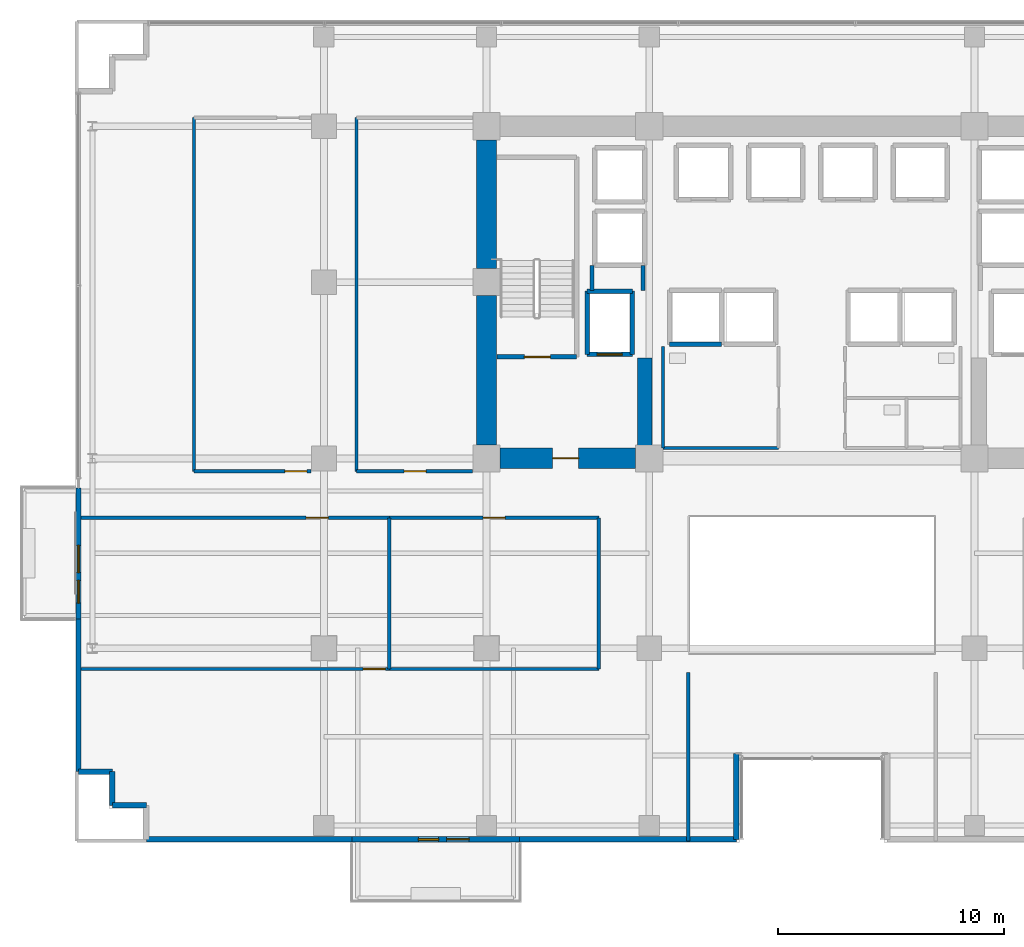
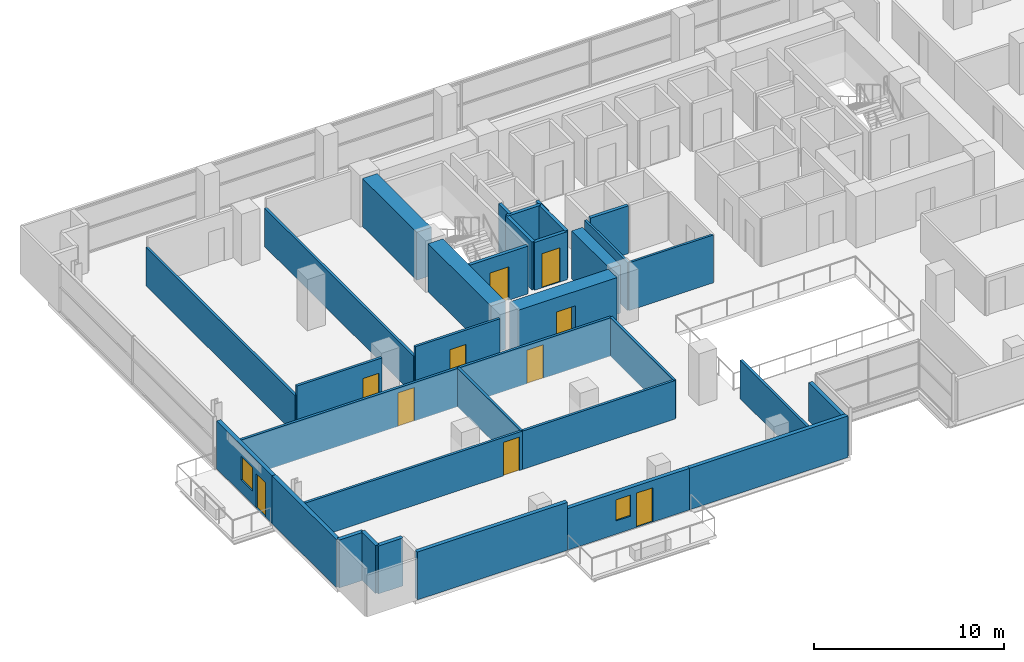
# One storey, part 23 of 30: 34 walls, 10 doors, 2 windows, 12 openings.
"""IFC4 building model written with IfcOpenShell, lengths in metres."""

from ifc_helpers import new_model, si_unit, direction, frame, frame_2d, origin, place, context, subcontext, project, spatial, rectangle, extrude, source, transform, mapped, material, layer, layer_set, type_object, element, fill, save


model = new_model("IFC4")

# Units and contexts
model_context = context("Model", 3, precision=1e-05, world=origin(), true_north=direction((0.0, 1.0)))
body_context = subcontext(model_context, "Body", "Model", "MODEL_VIEW")
ifc_project = project(units=[si_unit("LENGTHUNIT", "METRE"), si_unit("AREAUNIT", "SQUARE_METRE"), si_unit("VOLUMEUNIT", "CUBIC_METRE"), si_unit("PLANEANGLEUNIT", "RADIAN"), si_unit("MASSUNIT", "GRAM", prefix="KILO")], contexts=[model_context])

# Site, building, storey
site_placement = place(None, origin())
site = spatial("IfcSite", under=ifc_project, at=site_placement, CompositionType="ELEMENT")
building_placement = place(site_placement, origin())
building = spatial("IfcBuilding", under=site, at=building_placement, Name="Zarnakvel Exchange Tower", CompositionType="ELEMENT")
storey_placement = place(building_placement, frame((0.0, 0.0, 40.60009765625)))
storey = spatial("IfcBuildingStorey", under=building, at=storey_placement, Name="L10", CompositionType="ELEMENT", Elevation=40.60009765625)

# Walls
ifc_material_1 = material(Name="Concrete C80/95", Category="concrete")
ifc_layer_1 = layer(ifc_material_1, 0.89990234375)
ifc_layer_set_1 = layer_set([ifc_layer_1], Name="Concrete C80/95")
wall_type_1 = type_object("IfcWallType", Name="CW-C1", PredefinedType="SHEAR", material=ifc_layer_set_1)
wall_1_placement = place(storey_placement, frame((-14.39990234375, -0.60009765625, 0.0), z_axis=(0.0, 0.0, 1.0), x_axis=(0.0, 1.0, 0.0)))
element("IfcWall", 1, at=wall_1_placement, inside=storey, type_object=wall_type_1, Name="L10 Rear Core Shear Wall W1 (CW-C1)", PredefinedType="SHEAR", context=body_context, shape_type="SweptSolid", body=[
    extrude(rectangle(XDim=6.60009765625, YDim=0.89990234375, at=frame_2d((3.300048828125, 0.0))), origin(), (0.0, 0.0, 1.0), 3.074951171875),
])
wall_2_placement = place(storey_placement, frame((-14.39990234375, 7.199951171875, 0.0), z_axis=(0.0, 0.0, 1.0), x_axis=(0.0, 1.0, 0.0)))
element("IfcWall", 2, at=wall_2_placement, inside=storey, type_object=wall_type_1, Name="L10 Rear Core Shear Wall W2 (CW-C1)", PredefinedType="SHEAR", context=body_context, shape_type="SweptSolid", body=[
    extrude(rectangle(XDim=5.699951171875, YDim=0.89990234375, at=frame_2d((2.85009765625, 0.0))), origin(), (0.0, 0.0, 1.0), 3.074951171875),
])

# Wall, opening, door
wall_3_placement = place(storey_placement, frame((-7.800048828125, -1.199951171875, 0.0), z_axis=(0.0, 0.0, 1.0), x_axis=(-1.0, 0.0, 0.0)))
wall_3 = element("IfcWall", 3, at=wall_3_placement, inside=storey, type_object=wall_type_1, Name="L10 Rear Core Shear Wall SW (CW-C1)", PredefinedType="SHEAR", context=body_context, shape_type="SweptSolid", body=[
    extrude(rectangle(XDim=6.0, YDim=0.89990234375, at=frame_2d((3.0, 0.0))), origin(), (0.0, 0.0, 1.0), 3.074951171875),
])
opening_1_placement = place(wall_3_placement, frame((2.52490234375, 0.0, 0.0)))
opening_1 = element("IfcOpeningElement", 4, at=opening_1_placement, cuts=wall_3, Name="Opening D-L10-03", PredefinedType="OPENING", context=body_context, shape_type="SweptSolid", body=[
    extrude(rectangle(XDim=1.14990234375, YDim=2.14990234375, at=frame_2d((0.574951171875, 1.074951171875))), frame((0.0, 0.4599609375, 0.0), z_axis=(0.0, -1.0, 0.0), x_axis=(1.0, 0.0, 0.0)), (0.0, 0.0, 1.0), 0.919921875),
])
ifc_material_2 = material(Name="Painted Galvanised Steel S355", Category="steel")
door_type_1 = type_object("IfcDoorType", Name="DT-04", OperationType="NOTDEFINED", PredefinedType="DOOR", material=ifc_material_2)
shared_shape_1 = source(origin(), body_context, "Body", "SweptSolid", [
    extrude(rectangle(XDim=1.14990234375, YDim=2.14990234375, at=frame_2d((0.574951171875, 1.074951171875))), frame((0.0, 0.02490234375, 0.0), z_axis=(0.0, -1.0, 0.0), x_axis=(1.0, 0.0, 0.0)), (0.0, 0.0, 1.0), 0.050048828125),
])
door_1_placement = place(opening_1_placement, origin())
door_1 = element("IfcDoor", 5, at=door_1_placement, inside=storey, type_object=door_type_1, Name="L10 Firefighting Lobby West Door D-L10-03", OperationType="SINGLE_SWING_LEFT", OverallHeight=2.14990234375, OverallWidth=1.14990234375, PredefinedType="DOOR", context=body_context, shape_type="MappedRepresentation", body=[
    mapped(shared_shape_1, transform((0.0, 0.0, 0.0), x_axis=(1.0, 0.0, 0.0), y_axis=(0.0, 1.0, 0.0), z_axis=(0.0, 0.0, 1.0), scale=1.0)),
])
fill(opening_1, door_1)

# Wall
ifc_layer_2 = layer(ifc_material_1, 0.64990234375)
ifc_layer_set_2 = layer_set([ifc_layer_2], Name="Concrete C80/95")
wall_type_2 = type_object("IfcWallType", Name="CW-C2", PredefinedType="SHEAR", material=ifc_layer_set_2)
wall_4_placement = place(storey_placement, frame((-7.39990234375, -0.75, 0.0), z_axis=(0.0, 0.0, 1.0), x_axis=(0.0, 1.0, 0.0)))
element("IfcWall", 6, at=wall_4_placement, inside=storey, type_object=wall_type_2, Name="L10 Rear Core Shear Wall IW (CW-C2)", PredefinedType="SHEAR", context=body_context, shape_type="SweptSolid", body=[
    extrude(rectangle(XDim=4.0, YDim=0.64990234375, at=frame_2d((2.0, 0.0))), origin(), (0.0, 0.0, 1.0), 3.074951171875),
])

# Wall, openings, door, window
ifc_material_3 = material(Name="Precast concrete C40/50", Category="concrete")
ifc_layer_3 = layer(ifc_material_3, 0.239990234375)
ifc_layer_set_3 = layer_set([ifc_layer_3], Name="Precast concrete C40/50")
wall_type_3 = type_object("IfcWallType", Name="EW-02", PredefinedType="SOLIDWALL", material=ifc_layer_set_3)
wall_5_placement = place(storey_placement, frame((-12.949951171875, -18.06005859375, 0.0), z_axis=(0.0, 0.0, 1.0), x_axis=(-1.0, 0.0, 0.0)))
wall_5 = element("IfcWall", 7, at=wall_5_placement, inside=storey, type_object=wall_type_3, Name="L10 Exterior Precast Spandrel Wall EW-BAL-L10-SW (EW-02)", PredefinedType="SOLIDWALL", context=body_context, shape_type="SweptSolid", body=[
    extrude(rectangle(XDim=7.400146484375, YDim=0.239990234375, at=frame_2d((3.7001953125, 0.0))), origin(), (0.0, 0.0, 1.0), 2.664794921875),
])
opening_2_placement = place(wall_5_placement, frame((2.219970703125, 0.0, 0.0)))
opening_2 = element("IfcOpeningElement", 8, at=opening_2_placement, cuts=wall_5, Name="Opening BD-L10-01", PredefinedType="OPENING", context=body_context, shape_type="SweptSolid", body=[
    extrude(rectangle(XDim=1.0, YDim=2.199951171875, at=frame_2d((0.5, 1.10009765625))), frame((0.0, 0.1298828125, 0.0), z_axis=(0.0, -1.0, 0.0), x_axis=(1.0, 0.0, 0.0)), (0.0, 0.0, 1.0), 0.260009765625),
])
opening_3_placement = place(wall_5_placement, frame((3.570068359375, 0.0, 0.85009765625)))
opening_3 = element("IfcOpeningElement", 9, at=opening_3_placement, cuts=wall_5, Name="Opening WN-06", PredefinedType="OPENING", context=body_context, shape_type="SweptSolid", body=[
    extrude(rectangle(XDim=0.89990234375, YDim=1.35009765625, at=frame_2d((0.449951171875, 0.675048828125))), frame((0.0, 0.1298828125, 0.0), z_axis=(0.0, -1.0, 0.0), x_axis=(1.0, 0.0, 0.0)), (0.0, 0.0, 1.0), 0.260009765625),
])
ifc_material_4 = material(Name="Architectural Bronze Anodised Aluminium", Category="aluminium")
door_type_2 = type_object("IfcDoorType", Name="DT-09", OperationType="NOTDEFINED", PredefinedType="DOOR", material=ifc_material_4)
shared_shape_2 = source(origin(), body_context, "Body", "SweptSolid", [
    extrude(rectangle(XDim=1.0, YDim=2.199951171875, at=frame_2d((0.5, 1.10009765625))), frame((0.0, 0.02490234375, 0.0), z_axis=(0.0, -1.0, 0.0), x_axis=(1.0, 0.0, 0.0)), (0.0, 0.0, 1.0), 0.050048828125),
])
door_2_placement = place(opening_2_placement, origin())
door_2 = element("IfcDoor", 10, at=door_2_placement, inside=storey, type_object=door_type_2, Name="L10 Planted Loggia Balcony Door BD-L10-01", OperationType="SINGLE_SWING_RIGHT", OverallHeight=2.199951171875, OverallWidth=1.0, PredefinedType="DOOR", context=body_context, shape_type="MappedRepresentation", body=[
    mapped(shared_shape_2, transform((0.0, 0.0, 0.0), x_axis=(1.0, 0.0, 0.0), y_axis=(0.0, 1.0, 0.0), z_axis=(0.0, 0.0, 1.0), scale=1.0)),
])
fill(opening_2, door_2)
ifc_material_5 = material(Name="Double Low-E Laminated Vision Glass", Category="glass")
window_type_1 = type_object("IfcWindowType", Name="WN-06", PartitioningType="SINGLE_PANEL", PredefinedType="WINDOW", material=ifc_material_5)
shared_shape_3 = source(origin(), body_context, "Body", "SweptSolid", [
    extrude(rectangle(XDim=0.89990234375, YDim=1.35009765625, at=frame_2d((0.449951171875, 0.675048828125))), frame((0.0, 0.030029296875, 0.0), z_axis=(0.0, -1.0, 0.0), x_axis=(1.0, 0.0, 0.0)), (0.0, 0.0, 1.0), 0.06005859375),
])
window_1_placement = place(opening_3_placement, origin())
window_1 = element("IfcWindow", 11, at=window_1_placement, inside=storey, type_object=window_type_1, Name="L10 Loggia Daylight Window (WN-06)", OverallHeight=1.35009765625, OverallWidth=0.89990234375, PartitioningType="SINGLE_PANEL", PredefinedType="WINDOW", context=body_context, shape_type="MappedRepresentation", body=[
    mapped(shared_shape_3, transform((0.0, 0.0, 0.0), x_axis=(1.0, 0.0, 0.0), y_axis=(0.0, 1.0, 0.0), z_axis=(0.0, 0.0, 1.0), scale=1.0)),
])
fill(opening_3, window_1)

wall_6_placement = place(storey_placement, frame((-32.4599609375, -8.300048828125, 0.0), z_axis=(0.0, 0.0, 1.0), x_axis=(0.0, 1.0, 0.0)))
wall_6 = element("IfcWall", 12, at=wall_6_placement, inside=storey, type_object=wall_type_3, Name="L10 Exterior Precast Spandrel Wall EW-BAL-L10-W (EW-02)", PredefinedType="SOLIDWALL", context=body_context, shape_type="SweptSolid", body=[
    extrude(rectangle(XDim=5.800048828125, YDim=0.239990234375, at=frame_2d((2.89990234375, 0.0))), origin(), (0.0, 0.0, 1.0), 3.074951171875),
])
opening_4_placement = place(wall_6_placement, frame((0.696044921875, 0.0, 0.0)))
opening_4 = element("IfcOpeningElement", 13, at=opening_4_placement, cuts=wall_6, Name="Opening BD-L10-03", PredefinedType="OPENING", context=body_context, shape_type="SweptSolid", body=[
    extrude(rectangle(XDim=1.0, YDim=2.199951171875, at=frame_2d((0.5, 1.10009765625))), frame((0.0, 0.1298828125, 0.0), z_axis=(0.0, -1.0, 0.0), x_axis=(1.0, 0.0, 0.0)), (0.0, 0.0, 1.0), 0.260009765625),
])
opening_5_placement = place(wall_6_placement, frame((2.0458984375, 0.0, 0.85009765625)))
opening_5 = element("IfcOpeningElement", 14, at=opening_5_placement, cuts=wall_6, Name="Opening WN-04", PredefinedType="OPENING", context=body_context, shape_type="SweptSolid", body=[
    extrude(rectangle(XDim=1.199951171875, YDim=1.5, at=frame_2d((0.60009765625, 0.75))), frame((0.0, 0.1298828125, 0.0), z_axis=(0.0, -1.0, 0.0), x_axis=(1.0, 0.0, 0.0)), (0.0, 0.0, 1.0), 0.260009765625),
])
door_3_placement = place(opening_4_placement, origin())
door_3 = element("IfcDoor", 15, at=door_3_placement, inside=storey, type_object=door_type_2, Name="L10 Planted Loggia Balcony Door BD-L10-03", OperationType="SINGLE_SWING_RIGHT", OverallHeight=2.199951171875, OverallWidth=1.0, PredefinedType="DOOR", context=body_context, shape_type="MappedRepresentation", body=[
    mapped(shared_shape_2, transform((0.0, 0.0, 0.0), x_axis=(1.0, 0.0, 0.0), y_axis=(0.0, 1.0, 0.0), z_axis=(0.0, 0.0, 1.0), scale=1.0)),
])
fill(opening_4, door_3)
window_type_2 = type_object("IfcWindowType", Name="WN-04", PartitioningType="SINGLE_PANEL", PredefinedType="WINDOW", material=ifc_material_5)
shared_shape_4 = source(origin(), body_context, "Body", "SweptSolid", [
    extrude(rectangle(XDim=1.199951171875, YDim=1.5, at=frame_2d((0.60009765625, 0.75))), frame((0.0, 0.030029296875, 0.0), z_axis=(0.0, -1.0, 0.0), x_axis=(1.0, 0.0, 0.0)), (0.0, 0.0, 1.0), 0.06005859375),
])
window_2_placement = place(opening_5_placement, origin())
window_2 = element("IfcWindow", 16, at=window_2_placement, inside=storey, type_object=window_type_2, Name="L10 Loggia Daylight Window (WN-04)", OverallHeight=1.5, OverallWidth=1.199951171875, PartitioningType="SINGLE_PANEL", PredefinedType="WINDOW", context=body_context, shape_type="MappedRepresentation", body=[
    mapped(shared_shape_4, transform((0.0, 0.0, 0.0), x_axis=(1.0, 0.0, 0.0), y_axis=(0.0, 1.0, 0.0), z_axis=(0.0, 0.0, 1.0), scale=1.0)),
])
fill(opening_5, window_2)

# Walls
wall_7_placement = place(storey_placement, frame((-32.4599609375, -8.300048828125, 0.0), z_axis=(0.0, 0.0, 1.0), x_axis=(0.0, -1.0, 0.0)))
element("IfcWall", 17, at=wall_7_placement, inside=storey, type_object=wall_type_3, Name="L10 Exterior Precast Spandrel Wall EWC-L10-01 (EW-02)", PredefinedType="SOLIDWALL", context=body_context, shape_type="SweptSolid", body=[
    extrude(rectangle(XDim=6.760009765625, YDim=0.239990234375, at=frame_2d((3.3798828125, 0.0))), origin(), (0.0, 0.0, 1.0), 3.074951171875),
])
wall_8_placement = place(storey_placement, frame((-3.340087890625, -18.06005859375, 0.0), z_axis=(0.0, 0.0, 1.0), x_axis=(0.0, 1.0, 0.0)))
element("IfcWall", 18, at=wall_8_placement, inside=storey, type_object=wall_type_3, Name="L10 Exterior Precast Spandrel Wall EWC-L10-20 (EW-02)", PredefinedType="SOLIDWALL", context=body_context, shape_type="SweptSolid", body=[
    extrude(rectangle(XDim=3.800048828125, YDim=0.239990234375, at=frame_2d((1.89990234375, 0.0))), origin(), (0.0, 0.0, 1.0), 2.46484375),
])
wall_9_placement = place(storey_placement, frame((-12.949951171875, -18.06005859375, 0.0), z_axis=(0.0, 0.0, 1.0), x_axis=(1.0, 0.0, 0.0)))
element("IfcWall", 19, at=wall_9_placement, inside=storey, type_object=wall_type_3, Name="L10 Exterior Precast Spandrel Wall EWC-L10-21 (EW-02)", PredefinedType="SOLIDWALL", context=body_context, shape_type="SweptSolid", body=[
    extrude(rectangle(XDim=9.60986328125, YDim=0.239990234375, at=frame_2d((4.804931640625, 0.0))), origin(), (0.0, 0.0, 1.0), 2.664794921875),
])
wall_10_placement = place(storey_placement, frame((-29.4599609375, -18.06005859375, 0.0), z_axis=(0.0, 0.0, 1.0), x_axis=(1.0, 0.0, 0.0)))
element("IfcWall", 20, at=wall_10_placement, inside=storey, type_object=wall_type_3, Name="L10 Exterior Precast Spandrel Wall EWC-L10-22 (EW-02)", PredefinedType="SOLIDWALL", context=body_context, shape_type="SweptSolid", body=[
    extrude(rectangle(XDim=9.10986328125, YDim=0.239990234375, at=frame_2d((4.554931640625, 0.0))), origin(), (0.0, 0.0, 1.0), 3.074951171875),
])
for number, where, z_axis, x_axis, name in (
    (21, (-30.9599609375, -16.56005859375, 0.0), (0.0, 0.0, 1.0), (1.0, 0.0, 0.0), "L10 Exterior Precast Spandrel Wall EWC-L10-24 (EW-02)"),
    (22, (-30.9599609375, -15.06005859375, 0.0), (0.0, 0.0, 1.0), (0.0, -1.0, 0.0), "L10 Exterior Precast Spandrel Wall EWC-L10-25 (EW-02)"),
    (23, (-32.4599609375, -15.06005859375, 0.0), (0.0, 0.0, 1.0), (1.0, 0.0, 0.0), "L10 Exterior Precast Spandrel Wall EWC-L10-26 (EW-02)"),
):
    element("IfcWall", number, at=place(storey_placement, frame(where, z_axis=z_axis, x_axis=x_axis)), inside=storey, type_object=wall_type_3, Name=name, PredefinedType="SOLIDWALL", context=body_context, shape_type="SweptSolid", body=[
        extrude(rectangle(XDim=1.5, YDim=0.239990234375, at=frame_2d((0.75, 0.0))), origin(), (0.0, 0.0, 1.0), 3.074951171875),
    ])

# Wall, opening, door
ifc_material_6 = material(Name="Fire-Rated Gypsum Stud Partition", Category="gypsum")
ifc_layer_4 = layer(ifc_material_6, 0.14990234375)
ifc_layer_set_4 = layer_set([ifc_layer_4], Name="Fire-Rated Gypsum Stud Partition")
wall_type_4 = type_object("IfcWallType", Name="PT-01", PredefinedType="PARTITIONING", material=ifc_layer_set_4)
wall_11_placement = place(storey_placement, frame((-18.701904296875, -10.52001953125, 0.0), z_axis=(0.0, 0.0, 1.0), x_axis=(-1.0, 0.0, 0.0)))
wall_11 = element("IfcWall", 24, at=wall_11_placement, inside=storey, type_object=wall_type_4, Name="L10 Partition Wall PWALL-L10-022 (PT-01)", PredefinedType="PARTITIONING", context=body_context, shape_type="SweptSolid", body=[
    extrude(rectangle(XDim=13.828125, YDim=0.14990234375, at=frame_2d((6.9140625, 0.0))), origin(), (0.0, 0.0, 1.0), 2.46484375),
])
opening_6_placement = place(wall_11_placement, frame((0.179931640625, 0.0, 0.0)))
opening_6 = element("IfcOpeningElement", 25, at=opening_6_placement, cuts=wall_11, Name="Opening D-L10-11", PredefinedType="OPENING", context=body_context, shape_type="SweptSolid", body=[
    extrude(rectangle(XDim=0.97998046875, YDim=2.14990234375, at=frame_2d((0.489990234375, 1.074951171875))), frame((0.0, 0.0849609375, 0.0), z_axis=(0.0, -1.0, 0.0), x_axis=(1.0, 0.0, 0.0)), (0.0, 0.0, 1.0), 0.169921875),
])
ifc_material_7 = material(Name="Timber Acoustic Veneer", Category="wood")
door_type_3 = type_object("IfcDoorType", Name="DT-05", OperationType="NOTDEFINED", PredefinedType="DOOR", material=ifc_material_7)
shared_shape_5 = source(origin(), body_context, "Body", "SweptSolid", [
    extrude(rectangle(XDim=0.97998046875, YDim=2.14990234375, at=frame_2d((0.489990234375, 1.074951171875))), frame((0.0, 0.02490234375, 0.0), z_axis=(0.0, -1.0, 0.0), x_axis=(1.0, 0.0, 0.0)), (0.0, 0.0, 1.0), 0.050048828125),
])
door_4_placement = place(opening_6_placement, origin())
door_4 = element("IfcDoor", 26, at=door_4_placement, inside=storey, type_object=door_type_3, Name="L10 Institutional Dealing Room Door D-L10-11", OperationType="SINGLE_SWING_LEFT", OverallHeight=2.14990234375, OverallWidth=0.97998046875, PredefinedType="DOOR", context=body_context, shape_type="MappedRepresentation", body=[
    mapped(shared_shape_5, transform((0.0, 0.0, 0.0), x_axis=(1.0, 0.0, 0.0), y_axis=(0.0, 1.0, 0.0), z_axis=(0.0, 0.0, 1.0), scale=1.0)),
])
fill(opening_6, door_4)

wall_12_placement = place(storey_placement, frame((-32.530029296875, -3.830078125, 0.0), z_axis=(0.0, 0.0, 1.0), x_axis=(1.0, 0.0, 0.0)))
wall_12 = element("IfcWall", 27, at=wall_12_placement, inside=storey, type_object=wall_type_4, Name="L10 Partition Wall PWALL-L10-023 (PT-01)", PredefinedType="PARTITIONING", context=body_context, shape_type="SweptSolid", body=[
    extrude(rectangle(XDim=13.828125, YDim=0.14990234375, at=frame_2d((6.9140625, 0.0))), origin(), (0.0, 0.0, 1.0), 2.46484375),
])
opening_7_placement = place(wall_12_placement, frame((10.14892578125, 0.0, 0.0)))
opening_7 = element("IfcOpeningElement", 28, at=opening_7_placement, cuts=wall_12, Name="Opening D-L10-09", PredefinedType="OPENING", context=body_context, shape_type="SweptSolid", body=[
    extrude(rectangle(XDim=0.97998046875, YDim=2.14990234375, at=frame_2d((0.489990234375, 1.074951171875))), frame((0.0, 0.0849609375, 0.0), z_axis=(0.0, -1.0, 0.0), x_axis=(1.0, 0.0, 0.0)), (0.0, 0.0, 1.0), 0.169921875),
])
door_5_placement = place(opening_7_placement, origin())
door_5 = element("IfcDoor", 29, at=door_5_placement, inside=storey, type_object=door_type_3, Name="L10 Institutional Dealing Room Door D-L10-09", OperationType="SINGLE_SWING_LEFT", OverallHeight=2.14990234375, OverallWidth=0.97998046875, PredefinedType="DOOR", context=body_context, shape_type="MappedRepresentation", body=[
    mapped(shared_shape_5, transform((0.0, 0.0, 0.0), x_axis=(1.0, 0.0, 0.0), y_axis=(0.0, 1.0, 0.0), z_axis=(0.0, 0.0, 1.0), scale=1.0)),
])
fill(opening_7, door_5)

# Walls
wall_13_placement = place(storey_placement, frame((-18.701904296875, -3.830078125, 0.0), z_axis=(0.0, 0.0, 1.0), x_axis=(0.0, -1.0, 0.0)))
element("IfcWall", 30, at=wall_13_placement, inside=storey, type_object=wall_type_4, Name="L10 Partition Wall PWALL-L10-025 (PT-01)", PredefinedType="PARTITIONING", context=body_context, shape_type="SweptSolid", body=[
    extrude(rectangle(XDim=6.68994140625, YDim=0.14990234375, at=frame_2d((3.344970703125, 0.0))), origin(), (0.0, 0.0, 1.0), 2.46484375),
])
wall_14_placement = place(storey_placement, frame((-9.429931640625, -10.52001953125, 0.0), z_axis=(0.0, 0.0, 1.0), x_axis=(-1.0, 0.0, 0.0)))
element("IfcWall", 31, at=wall_14_placement, inside=storey, type_object=wall_type_4, Name="L10 Partition Wall PWALL-L10-026 (PT-01)", PredefinedType="PARTITIONING", context=body_context, shape_type="SweptSolid", body=[
    extrude(rectangle(XDim=9.27197265625, YDim=0.14990234375, at=frame_2d((4.635986328125, 0.0))), origin(), (0.0, 0.0, 1.0), 2.46484375),
])

# Wall, opening, door
wall_15_placement = place(storey_placement, frame((-18.701904296875, -3.830078125, 0.0), z_axis=(0.0, 0.0, 1.0), x_axis=(1.0, 0.0, 0.0)))
wall_15 = element("IfcWall", 32, at=wall_15_placement, inside=storey, type_object=wall_type_4, Name="L10 Partition Wall PWALL-L10-027 (PT-01)", PredefinedType="PARTITIONING", context=body_context, shape_type="SweptSolid", body=[
    extrude(rectangle(XDim=9.27197265625, YDim=0.14990234375, at=frame_2d((4.635986328125, 0.0))), origin(), (0.0, 0.0, 1.0), 2.46484375),
])
opening_8_placement = place(wall_15_placement, frame((4.14599609375, 0.0, 0.0)))
opening_8 = element("IfcOpeningElement", 33, at=opening_8_placement, cuts=wall_15, Name="Opening D-L10-10", PredefinedType="OPENING", context=body_context, shape_type="SweptSolid", body=[
    extrude(rectangle(XDim=0.97998046875, YDim=2.14990234375, at=frame_2d((0.489990234375, 1.074951171875))), frame((0.0, 0.0849609375, 0.0), z_axis=(0.0, -1.0, 0.0), x_axis=(1.0, 0.0, 0.0)), (0.0, 0.0, 1.0), 0.169921875),
])
door_6_placement = place(opening_8_placement, origin())
door_6 = element("IfcDoor", 34, at=door_6_placement, inside=storey, type_object=door_type_3, Name="L10 Clearing Office Door D-L10-10", OperationType="SINGLE_SWING_RIGHT", OverallHeight=2.14990234375, OverallWidth=0.97998046875, PredefinedType="DOOR", context=body_context, shape_type="MappedRepresentation", body=[
    mapped(shared_shape_5, transform((0.0, 0.0, 0.0), x_axis=(1.0, 0.0, 0.0), y_axis=(0.0, 1.0, 0.0), z_axis=(0.0, 0.0, 1.0), scale=1.0)),
])
fill(opening_8, door_6)

# Walls
wall_16_placement = place(storey_placement, frame((-9.429931640625, -3.830078125, 0.0), z_axis=(0.0, 0.0, 1.0), x_axis=(0.0, -1.0, 0.0)))
element("IfcWall", 35, at=wall_16_placement, inside=storey, type_object=wall_type_4, Name="L10 Partition Wall PWALL-L10-028 (PT-01)", PredefinedType="PARTITIONING", context=body_context, shape_type="SweptSolid", body=[
    extrude(rectangle(XDim=6.68994140625, YDim=0.14990234375, at=frame_2d((3.344970703125, 0.0))), origin(), (0.0, 0.0, 1.0), 2.46484375),
])
wall_17_placement = place(storey_placement, frame((-5.47998046875, -10.679931640625, 0.0), z_axis=(0.0, 0.0, 1.0), x_axis=(0.0, -1.0, 0.0)))
element("IfcWall", 36, at=wall_17_placement, inside=storey, type_object=wall_type_4, Name="L10 Partition Wall PWALL-L10-031 (PT-01)", PredefinedType="PARTITIONING", context=body_context, shape_type="SweptSolid", body=[
    extrude(rectangle(XDim=7.449951171875, YDim=0.14990234375, at=frame_2d((3.72509765625, 0.0))), origin(), (0.0, 0.0, 1.0), 2.46484375),
])

# Wall, opening, door
wall_18_placement = place(storey_placement, frame((-22.169921875, -1.77001953125, 0.0), z_axis=(0.0, 0.0, 1.0), x_axis=(-1.0, 0.0, 0.0)))
wall_18 = element("IfcWall", 37, at=wall_18_placement, inside=storey, type_object=wall_type_4, Name="L10 Partition Wall PWALL-L10-042 (PT-01)", PredefinedType="PARTITIONING", context=body_context, shape_type="SweptSolid", body=[
    extrude(rectangle(XDim=5.176513671875, YDim=0.14990234375, at=frame_2d((2.58837890625, 0.0))), origin(), (0.0, 0.0, 1.0), 3.074951171875),
])
opening_9_placement = place(wall_18_placement, frame((0.179931640625, 0.0, 0.0)))
opening_9 = element("IfcOpeningElement", 38, at=opening_9_placement, cuts=wall_18, Name="Opening D-L10-15", PredefinedType="OPENING", context=body_context, shape_type="SweptSolid", body=[
    extrude(rectangle(XDim=0.97998046875, YDim=2.14990234375, at=frame_2d((0.489990234375, 1.074951171875))), frame((0.0, 0.0849609375, 0.0), z_axis=(0.0, -1.0, 0.0), x_axis=(1.0, 0.0, 0.0)), (0.0, 0.0, 1.0), 0.169921875),
])
door_7_placement = place(opening_9_placement, origin())
door_7 = element("IfcDoor", 39, at=door_7_placement, inside=storey, type_object=door_type_3, Name="L10 Breakout Pantry Door D-L10-15", OperationType="SINGLE_SWING_LEFT", OverallHeight=2.14990234375, OverallWidth=0.97998046875, PredefinedType="DOOR", context=body_context, shape_type="MappedRepresentation", body=[
    mapped(shared_shape_5, transform((0.0, 0.0, 0.0), x_axis=(1.0, 0.0, 0.0), y_axis=(0.0, 1.0, 0.0), z_axis=(0.0, 0.0, 1.0), scale=1.0)),
])
fill(opening_9, door_7)

# Walls
for number, where, z_axis, x_axis, name in (
    (40, (-27.346435546875, -1.77001953125, 0.0), (0.0, 0.0, 1.0), (0.0, 1.0, 0.0), "L10 Partition Wall PWALL-L10-044 (PT-01)"),
    (41, (-20.153564453125, 13.8798828125, 0.0), (0.0, 0.0, 1.0), (0.0, -1.0, 0.0), "L10 Partition Wall PWALL-L10-045 (PT-01)"),
):
    element("IfcWall", number, at=place(storey_placement, frame(where, z_axis=z_axis, x_axis=x_axis)), inside=storey, type_object=wall_type_4, Name=name, PredefinedType="PARTITIONING", context=body_context, shape_type="SweptSolid", body=[
        extrude(rectangle(XDim=15.64990234375, YDim=0.14990234375, at=frame_2d((7.824951171875, 0.0))), origin(), (0.0, 0.0, 1.0), 2.46484375),
    ])

# Wall, opening, door
wall_19_placement = place(storey_placement, frame((-15.02001953125, -1.77001953125, 0.0), z_axis=(0.0, 0.0, 1.0), x_axis=(-1.0, 0.0, 0.0)))
wall_19 = element("IfcWall", 42, at=wall_19_placement, inside=storey, type_object=wall_type_4, Name="L10 Partition Wall PWALL-L10-046 (PT-01)", PredefinedType="PARTITIONING", context=body_context, shape_type="SweptSolid", body=[
    extrude(rectangle(XDim=5.133544921875, YDim=0.14990234375, at=frame_2d((2.56689453125, 0.0))), origin(), (0.0, 0.0, 1.0), 3.074951171875),
])
opening_10_placement = place(wall_19_placement, frame((2.052001953125, 0.0, 0.0)))
opening_10 = element("IfcOpeningElement", 43, at=opening_10_placement, cuts=wall_19, Name="Opening D-L10-16", PredefinedType="OPENING", context=body_context, shape_type="SweptSolid", body=[
    extrude(rectangle(XDim=0.97998046875, YDim=2.14990234375, at=frame_2d((0.489990234375, 1.074951171875))), frame((0.0, 0.0849609375, 0.0), z_axis=(0.0, -1.0, 0.0), x_axis=(1.0, 0.0, 0.0)), (0.0, 0.0, 1.0), 0.169921875),
])
door_8_placement = place(opening_10_placement, origin())
door_8 = element("IfcDoor", 44, at=door_8_placement, inside=storey, type_object=door_type_3, Name="L10 Settlement Office Door D-L10-16", OperationType="SINGLE_SWING_RIGHT", OverallHeight=2.14990234375, OverallWidth=0.97998046875, PredefinedType="DOOR", context=body_context, shape_type="MappedRepresentation", body=[
    mapped(shared_shape_5, transform((0.0, 0.0, 0.0), x_axis=(1.0, 0.0, 0.0), y_axis=(0.0, 1.0, 0.0), z_axis=(0.0, 0.0, 1.0), scale=1.0)),
])
fill(opening_10, door_8)

# Walls
ifc_layer_5 = layer(ifc_material_6, 0.179931640625)
ifc_layer_set_5 = layer_set([ifc_layer_5], Name="Fire-Rated Gypsum Stud Partition")
wall_type_5 = type_object("IfcWallType", Name="PT-02", PredefinedType="PARTITIONING", material=ifc_layer_set_5)
wall_20_placement = place(storey_placement, frame((-9.72998046875, 6.239990234375, 0.0), z_axis=(0.0, 0.0, 1.0), x_axis=(0.0, 1.0, 0.0)))
element("IfcWall", 45, at=wall_20_placement, inside=storey, type_object=wall_type_5, Name="L10 Partition Wall PWALL-L10-007 (PT-02)", PredefinedType="PARTITIONING", context=body_context, shape_type="SweptSolid", body=[
    extrude(rectangle(XDim=1.090087890625, YDim=0.179931640625, at=frame_2d((0.544921875, 0.0))), origin(), (0.0, 0.0, 1.0), 3.074951171875),
])
wall_21_placement = place(storey_placement, frame((-7.469970703125, 7.330078125, 0.0), z_axis=(0.0, 0.0, 1.0), x_axis=(0.0, -1.0, 0.0)))
element("IfcWall", 46, at=wall_21_placement, inside=storey, type_object=wall_type_5, Name="L10 Partition Wall PWALL-L10-008 (PT-02)", PredefinedType="PARTITIONING", context=body_context, shape_type="SweptSolid", body=[
    extrude(rectangle(XDim=1.090087890625, YDim=0.179931640625, at=frame_2d((0.544921875, 0.0))), origin(), (0.0, 0.0, 1.0), 2.46484375),
])
ifc_material_8 = material(Name="Moisture-Resistant Tile-Faced Partition", Category="gypsum")
ifc_layer_6 = layer(ifc_material_8, 0.135009765625)
ifc_layer_set_6 = layer_set([ifc_layer_6], Name="Moisture-Resistant Tile-Faced Partition")
wall_type_6 = type_object("IfcWallType", Name="PT-03", PredefinedType="PARTITIONING", material=ifc_layer_set_6)
wall_22_placement = place(storey_placement, frame((-1.469970703125, -0.72998046875, 0.0), z_axis=(0.0, 0.0, 1.0), x_axis=(-1.0, 0.0, 0.0)))
element("IfcWall", 47, at=wall_22_placement, inside=storey, type_object=wall_type_6, Name="L10 Partition Wall PWALL-L10-011 (PT-03)", PredefinedType="PARTITIONING", context=body_context, shape_type="SweptSolid", body=[
    extrude(rectangle(XDim=5.110107421875, YDim=0.135009765625, at=frame_2d((2.55517578125, 0.0))), origin(), (0.0, 0.0, 1.0), 3.074951171875),
])
wall_23_placement = place(storey_placement, frame((-6.580078125, -0.72998046875, 0.0), z_axis=(0.0, 0.0, 1.0), x_axis=(0.0, 1.0, 0.0)))
element("IfcWall", 48, at=wall_23_placement, inside=storey, type_object=wall_type_6, Name="L10 Partition Wall PWALL-L10-012 (PT-03)", PredefinedType="PARTITIONING", context=body_context, shape_type="SweptSolid", body=[
    extrude(rectangle(XDim=4.489990234375, YDim=0.135009765625, at=frame_2d((2.2451171875, 0.0))), origin(), (0.0, 0.0, 1.0), 3.074951171875),
])

# Wall, opening, door
ifc_material_9 = material(Name="Concrete C40/50", Category="concrete")
ifc_layer_7 = layer(ifc_material_9, 0.199951171875)
ifc_layer_set_7 = layer_set([ifc_layer_7], Name="Concrete C40/50")
wall_type_7 = type_object("IfcWallType", Name="SW-01", PredefinedType="SOLIDWALL", material=ifc_layer_set_7)
wall_24_placement = place(storey_placement, frame((-7.949951171875, 3.39990234375, 0.0), z_axis=(0.0, 0.0, 1.0), x_axis=(-1.0, 0.0, 0.0)))
wall_24 = element("IfcWall", 49, at=wall_24_placement, inside=storey, type_object=wall_type_7, Name="L10 FL-01 Hoistway Wall South", PredefinedType="SOLIDWALL", context=body_context, shape_type="SweptSolid", body=[
    extrude(rectangle(XDim=2.0, YDim=0.199951171875, at=frame_2d((1.0, 0.0))), origin(), (0.0, 0.0, 1.0), 3.074951171875),
])
opening_11_placement = place(wall_24_placement, frame((0.449951171875, 0.0, 0.0)))
opening_11 = element("IfcOpeningElement", 50, at=opening_11_placement, cuts=wall_24, Name="Opening LD-FL-01-L10", PredefinedType="OPENING", context=body_context, shape_type="SweptSolid", body=[
    extrude(rectangle(XDim=1.10009765625, YDim=2.199951171875, at=frame_2d((0.550048828125, 1.10009765625))), frame((0.0, 0.10986328125, 0.0), z_axis=(0.0, -1.0, 0.0), x_axis=(1.0, 0.0, 0.0)), (0.0, 0.0, 1.0), 0.219970703125),
])
ifc_material_10 = material(Name="Brushed Stainless Steel", Category="steel")
door_type_4 = type_object("IfcDoorType", Name="LDT-01", OperationType="NOTDEFINED", PredefinedType="DOOR", material=ifc_material_10)
shared_shape_6 = source(origin(), body_context, "Body", "SweptSolid", [
    extrude(rectangle(XDim=1.10009765625, YDim=2.199951171875, at=frame_2d((0.550048828125, 1.10009765625))), frame((0.0, 0.02490234375, 0.0), z_axis=(0.0, -1.0, 0.0), x_axis=(1.0, 0.0, 0.0)), (0.0, 0.0, 1.0), 0.050048828125),
])
door_9_placement = place(opening_11_placement, origin())
door_9 = element("IfcDoor", 51, at=door_9_placement, inside=storey, type_object=door_type_4, Name="L10 FL-01 Lift Landing Door LD-FL-01-L10", OperationType="DOUBLE_DOOR_SLIDING", OverallHeight=2.199951171875, OverallWidth=1.10009765625, PredefinedType="DOOR", context=body_context, shape_type="MappedRepresentation", body=[
    mapped(shared_shape_6, transform((0.0, 0.0, 0.0), x_axis=(1.0, 0.0, 0.0), y_axis=(0.0, 1.0, 0.0), z_axis=(0.0, 0.0, 1.0), scale=1.0)),
])
fill(opening_11, door_9)

# Walls
wall_25_placement = place(storey_placement, frame((-9.949951171875, 6.199951171875, 0.0), z_axis=(0.0, 0.0, 1.0), x_axis=(1.0, 0.0, 0.0)))
element("IfcWall", 52, at=wall_25_placement, inside=storey, type_object=wall_type_7, Name="L10 FL-01 Hoistway Wall North", PredefinedType="SOLIDWALL", context=body_context, shape_type="SweptSolid", body=[
    extrude(rectangle(XDim=2.0, YDim=0.199951171875, at=frame_2d((1.0, 0.0))), origin(), (0.0, 0.0, 1.0), 3.074951171875),
])
for number, where, z_axis, x_axis, name in (
    (53, (-9.949951171875, 3.39990234375, 0.0), (0.0, 0.0, 1.0), (0.0, 1.0, 0.0), "L10 FL-01 Hoistway Wall West"),
    (54, (-7.949951171875, 6.199951171875, 0.0), (0.0, 0.0, 1.0), (0.0, -1.0, 0.0), "L10 FL-01 Hoistway Wall East"),
):
    element("IfcWall", number, at=place(storey_placement, frame(where, z_axis=z_axis, x_axis=x_axis)), inside=storey, type_object=wall_type_7, Name=name, PredefinedType="SOLIDWALL", context=body_context, shape_type="SweptSolid", body=[
        extrude(rectangle(XDim=2.800048828125, YDim=0.199951171875, at=frame_2d((1.39990234375, 0.0))), origin(), (0.0, 0.0, 1.0), 3.074951171875),
    ])
wall_26_placement = place(storey_placement, frame((-4.0, 3.85009765625, 0.0), z_axis=(0.0, 0.0, 1.0), x_axis=(-1.0, 0.0, 0.0)))
element("IfcWall", 55, at=wall_26_placement, inside=storey, type_object=wall_type_7, Name="L10 PL-05 Hoistway Wall South", PredefinedType="SOLIDWALL", context=body_context, shape_type="SweptSolid", body=[
    extrude(rectangle(XDim=2.300048828125, YDim=0.199951171875, at=frame_2d((1.14990234375, 0.0))), origin(), (0.0, 0.0, 1.0), 3.074951171875),
])

# Wall, opening, door
ifc_layer_8 = layer(ifc_material_9, 0.199951171875)
ifc_layer_set_8 = layer_set([ifc_layer_8], Name="Concrete C40/50")
wall_type_8 = type_object("IfcWallType", Name="SW-02", PredefinedType="SOLIDWALL", material=ifc_layer_set_8)
wall_27_placement = place(storey_placement, frame((-10.409912109375, 3.2900390625, 0.0), z_axis=(0.0, 0.0, 1.0), x_axis=(-1.0, 0.0, 0.0)))
wall_27 = element("IfcWall", 56, at=wall_27_placement, inside=storey, type_object=wall_type_8, Name="L10 Stairwell Core Wall PWALL-L10-001 (SW-02)", PredefinedType="SOLIDWALL", context=body_context, shape_type="SweptSolid", body=[
    extrude(rectangle(XDim=3.52001953125, YDim=0.199951171875, at=frame_2d((1.760009765625, 0.0))), origin(), (0.0, 0.0, 1.0), 3.074951171875),
])
opening_12_placement = place(wall_27_placement, frame((1.1650390625, 0.0, 0.0)))
opening_12 = element("IfcOpeningElement", 57, at=opening_12_placement, cuts=wall_27, Name="Opening D-L10-01", PredefinedType="OPENING", context=body_context, shape_type="SweptSolid", body=[
    extrude(rectangle(XDim=1.14990234375, YDim=2.14990234375, at=frame_2d((0.574951171875, 1.074951171875))), frame((0.0, 0.10986328125, 0.0), z_axis=(0.0, -1.0, 0.0), x_axis=(1.0, 0.0, 0.0)), (0.0, 0.0, 1.0), 0.219970703125),
])
door_10_placement = place(opening_12_placement, origin())
door_10 = element("IfcDoor", 58, at=door_10_placement, inside=storey, type_object=door_type_1, Name="L10 Stairwell ST-01 Door D-L10-01", OperationType="SINGLE_SWING_LEFT", OverallHeight=2.14990234375, OverallWidth=1.14990234375, PredefinedType="DOOR", context=body_context, shape_type="MappedRepresentation", body=[
    mapped(shared_shape_1, transform((0.0, 0.0, 0.0), x_axis=(1.0, 0.0, 0.0), y_axis=(0.0, 1.0, 0.0), z_axis=(0.0, 0.0, 1.0), scale=1.0)),
])
fill(opening_12, door_10)

save(model, "model.ifc")
